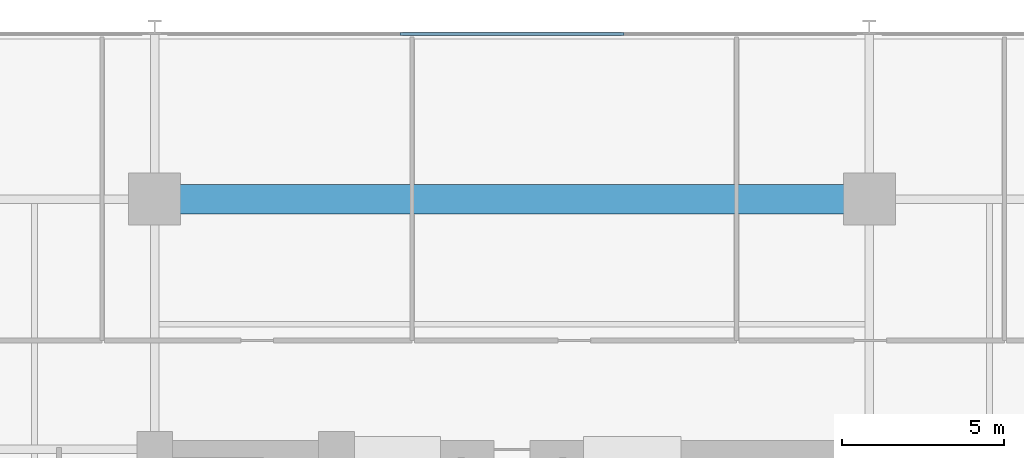
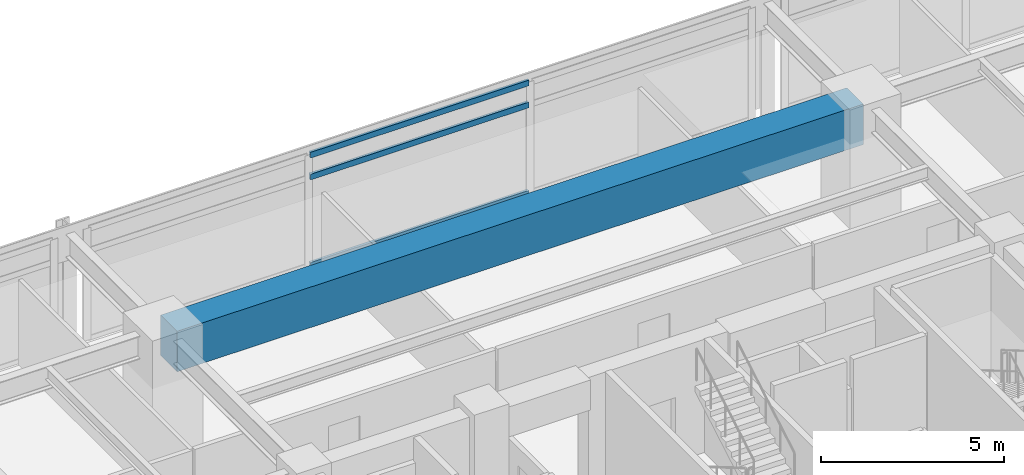
# One storey, part 9 of 21: 3 members, 1 beam, 1 element without a shape of its own.
"""IFC4 building model written with IfcOpenShell, lengths in metres."""

from ifc_helpers import new_model, si_unit, direction, frame, origin, origin_2d, place, context, subcontext, project, spatial, rectangle, hollow_rectangle, extrude, material, material_profile, profile_set, type_object, element, aggregate, save


model = new_model("IFC4")

# Units and contexts
model_context = context("Model", 3, precision=1e-05, world=origin(), true_north=direction((0.0, 1.0)))
body_context = subcontext(model_context, "Body", "Model", "MODEL_VIEW")
ifc_project = project(units=[si_unit("LENGTHUNIT", "METRE"), si_unit("AREAUNIT", "SQUARE_METRE"), si_unit("VOLUMEUNIT", "CUBIC_METRE"), si_unit("PLANEANGLEUNIT", "RADIAN"), si_unit("MASSUNIT", "GRAM", prefix="KILO")], contexts=[model_context])

# Site, building, storey
site_placement = place(None, origin())
site = spatial("IfcSite", under=ifc_project, at=site_placement, CompositionType="ELEMENT")
building_placement = place(site_placement, origin())
building = spatial("IfcBuilding", under=site, at=building_placement, Name="Kovane Verandah Tower", CompositionType="ELEMENT")
storey_placement = place(building_placement, frame((0.0, 0.0, 172.39990234375)))
storey = spatial("IfcBuildingStorey", under=building, at=storey_placement, Name="L40", CompositionType="ELEMENT", Elevation=172.39990234375)

# Beam
ifc_material_1 = material(Name="Concrete C80/95", Category="concrete")
ifc_material_profile_1 = material_profile(ifc_material_1, rectangle(XDim=0.89990234375, YDim=1.35009765625, at=origin_2d()), Name="RCB900x1350")
ifc_profile_set_1 = profile_set([ifc_material_profile_1], Name="Concrete C80/95")
beam_type = type_object("IfcBeamType", Name="BM-TR-900x1350", PredefinedType="BEAM", material=ifc_profile_set_1)
beam_placement = place(storey_placement, frame((29.179931640625, 44.199951171875, 3.10009765625), z_axis=(1.0, 0.0, 0.0), x_axis=(0.0, 1.0, 0.0)))
element("IfcBeam", 1, at=beam_placement, inside=storey, type_object=beam_type, Name="L40 Primary Tower Girder G-RN2", PredefinedType="BEAM", context=body_context, shape_type="SweptSolid", body=[
    extrude(rectangle(XDim=0.89990234375, YDim=1.35009765625, at=origin_2d()), origin(), (0.0, 0.0, 1.0), 21.64013671875),
])

# Curtain wall, members
ifc_material_2 = material(Name="Champagne Anodised Aluminium Frame with Low-E Clear Laminated Glass", Category="aluminium")
curtain_wall_type = type_object("IfcCurtainWallType", Name="CW-SYS-03-MID", PredefinedType="NOTDEFINED", material=ifc_material_2)
curtain_wall_placement = place(storey_placement, origin())
curtain_wall = element("IfcCurtainWall", 2, at=curtain_wall_placement, inside=storey, type_object=curtain_wall_type, Name="L40 N Unitised Curtain Wall-2", PredefinedType="NOTDEFINED")
ifc_material_3 = material(Name="Champagne Anodised Aluminium 6063-T6", Category="aluminium")
ifc_material_profile_2 = material_profile(ifc_material_3, hollow_rectangle(XDim=0.0849609375, YDim=0.18994140625, WallThickness=0.00390625, at=origin_2d()), Name="AL85x190x4")
ifc_profile_set_2 = profile_set([ifc_material_profile_2], Name="Champagne Anodised Aluminium 6063-T6")
member_type = type_object("IfcMemberType", Name="CW-TRN-85x190", PredefinedType="USERDEFINED", material=ifc_profile_set_2)
member_1_placement = place(storey_placement, frame((43.443359375, 49.289306640625, 0.050048828125), z_axis=(-1.0, 0.0, 0.0), x_axis=(0.0, -1.0, 0.0)))
member_1 = element("IfcMember", 3, at=member_1_placement, type_object=member_type, Name="L40 N Unitised Curtain Wall-2 Transom TB Bay 2", ObjectType="TRANSOM", PredefinedType="USERDEFINED", context=body_context, shape_type="SweptSolid", body=[
    extrude(hollow_rectangle(XDim=0.0849609375, YDim=0.18994140625, WallThickness=0.00390625, at=origin_2d()), origin(), (0.0, 0.0, 1.0), 6.88671875),
])
member_2_placement = place(storey_placement, frame((43.443359375, 49.289306640625, 2.9951171875), z_axis=(-1.0, 0.0, 0.0), x_axis=(0.0, -1.0, 0.0)))
member_2 = element("IfcMember", 4, at=member_2_placement, type_object=member_type, Name="L40 N Unitised Curtain Wall-2 Transom TM Bay 2", ObjectType="TRANSOM", PredefinedType="USERDEFINED", context=body_context, shape_type="SweptSolid", body=[
    extrude(hollow_rectangle(XDim=0.0849609375, YDim=0.18994140625, WallThickness=0.00390625, at=origin_2d()), origin(), (0.0, 0.0, 1.0), 6.88671875),
])
member_3_placement = place(storey_placement, frame((43.443359375, 49.289306640625, 3.72509765625), z_axis=(-1.0, 0.0, 0.0), x_axis=(0.0, -1.0, 0.0)))
member_3 = element("IfcMember", 5, at=member_3_placement, type_object=member_type, Name="L40 N Unitised Curtain Wall-2 Transom TT Bay 2", ObjectType="TRANSOM", PredefinedType="USERDEFINED", context=body_context, shape_type="SweptSolid", body=[
    extrude(hollow_rectangle(XDim=0.0849609375, YDim=0.18994140625, WallThickness=0.00390625, at=origin_2d()), origin(), (0.0, 0.0, 1.0), 6.88671875),
])
aggregate(curtain_wall, [member_1, member_2, member_3])

save(model, "model.ifc")
